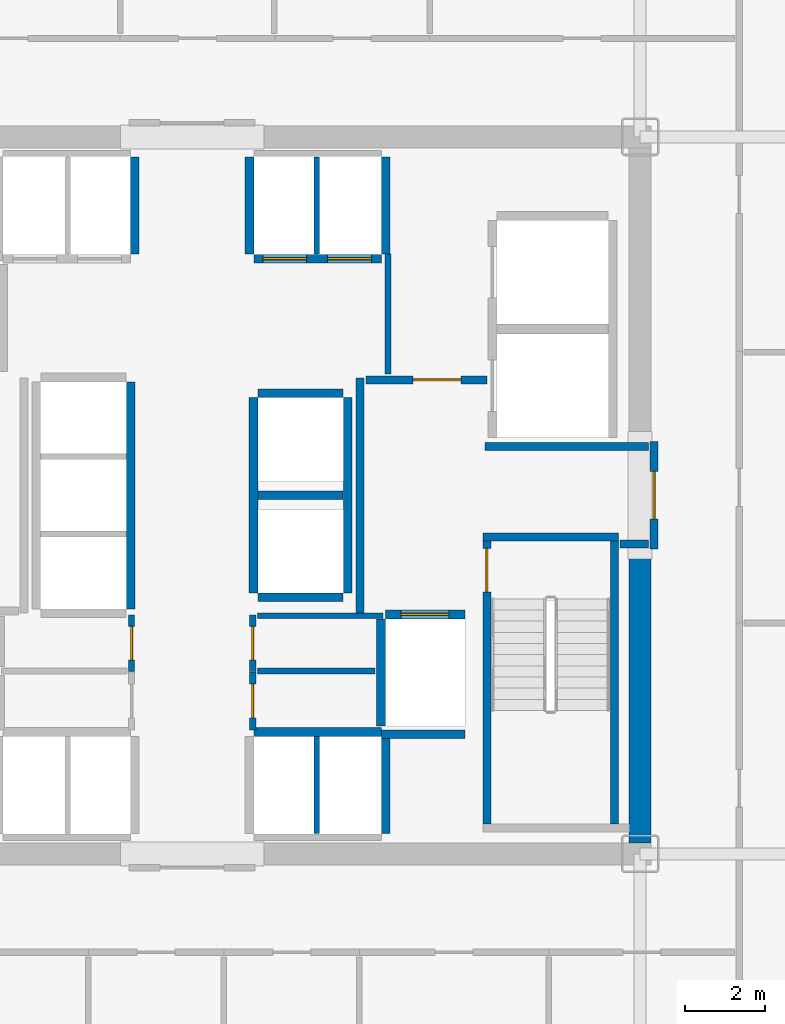
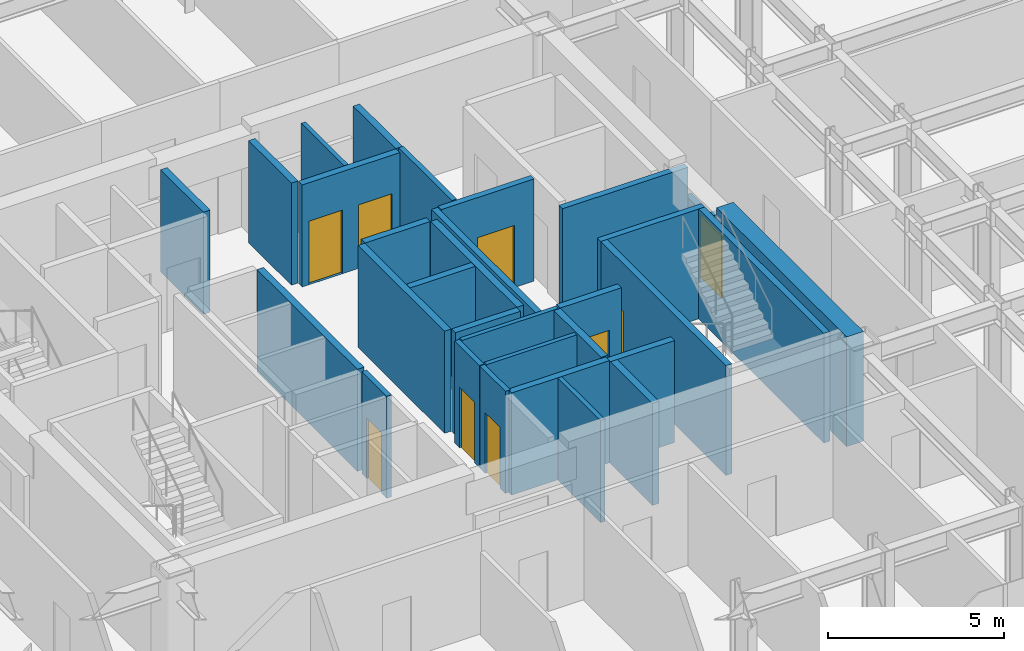
# One storey, part 22 of 25: 32 walls, 9 doors, 9 openings.
"""IFC4 building model written with IfcOpenShell, lengths in metres."""

from ifc_helpers import new_model, si_unit, direction, frame, frame_2d, origin, place, context, subcontext, project, spatial, rectangle, extrude, source, transform, mapped, material, layer, layer_set, type_object, element, fill, save


model = new_model("IFC4")

# Units and contexts
model_context = context("Model", 3, precision=1e-05, world=origin(), true_north=direction((0.0, 1.0)))
body_context = subcontext(model_context, "Body", "Model", "MODEL_VIEW")
ifc_project = project(units=[si_unit("LENGTHUNIT", "METRE"), si_unit("AREAUNIT", "SQUARE_METRE"), si_unit("VOLUMEUNIT", "CUBIC_METRE"), si_unit("PLANEANGLEUNIT", "RADIAN"), si_unit("MASSUNIT", "GRAM", prefix="KILO")], contexts=[model_context])

# Site, building, storey
site_placement = place(None, origin())
site = spatial("IfcSite", under=ifc_project, at=site_placement, CompositionType="ELEMENT")
building_placement = place(site_placement, origin())
building = spatial("IfcBuilding", under=site, at=building_placement, Name="Nefas-Gora Pilgrimage Tower", CompositionType="ELEMENT")
storey_placement = place(building_placement, frame((0.0, 0.0, 109.800048828125)))
storey = spatial("IfcBuildingStorey", under=building, at=storey_placement, Name="L26", CompositionType="ELEMENT", Elevation=109.800048828125)

# Walls
ifc_material_1 = material(Name="Concrete C60/75", Category="concrete")
ifc_layer_1 = layer(ifc_material_1, 0.550048828125)
ifc_layer_set_1 = layer_set([ifc_layer_1], Name="Concrete C60/75")
wall_type_1 = type_object("IfcWallType", Name="SW-CORE-550", PredefinedType="SHEAR", material=ifc_layer_set_1)
shared_shape_1 = source(origin(), body_context, "Body", "SweptSolid", [
    extrude(rectangle(XDim=7.375, YDim=0.550048828125, at=frame_2d((3.6875, 0.0))), origin(), (0.0, 0.0, 1.0), 3.800048828125),
])
wall_1_placement = place(storey_placement, frame((11.25, -8.72509765625, 0.0), z_axis=(0.0, 0.0, 1.0), x_axis=(0.0, 1.0, 0.0)))
element("IfcWall", 1, at=wall_1_placement, inside=storey, type_object=wall_type_1, Name="L26 Core Shear Wall E-South", PredefinedType="SHEAR", context=body_context, shape_type="MappedRepresentation", body=[
    mapped(shared_shape_1, transform((0.0, 0.0, 0.0), x_axis=(1.0, 0.0, 0.0), y_axis=(0.0, 1.0, 0.0), z_axis=(0.0, 0.0, 1.0), scale=1.0)),
])
ifc_material_2 = material(Name="Concrete C45/55", Category="concrete")
ifc_layer_2 = layer(ifc_material_2, 0.199951171875)
ifc_layer_set_2 = layer_set([ifc_layer_2], Name="Concrete C45/55")
wall_type_2 = type_object("IfcWallType", Name="IW-STAIR-200", PredefinedType="SOLIDWALL", material=ifc_layer_set_2)
shared_shape_2 = source(origin(), body_context, "Body", "SweptSolid", [
    extrude(rectangle(XDim=3.39990234375, YDim=0.199951171875, at=frame_2d((1.699951171875, 0.0))), origin(), (0.0, 0.0, 1.0), 3.800048828125),
])
wall_2_placement = place(storey_placement, frame((7.300048828125, -1.050048828125, 0.0), z_axis=(0.0, 0.0, 1.0), x_axis=(1.0, 0.0, 0.0)))
element("IfcWall", 2, at=wall_2_placement, inside=storey, type_object=wall_type_2, Name="L26 Stairwell Shear Wall ST-02-near", PredefinedType="SOLIDWALL", context=body_context, shape_type="MappedRepresentation", body=[
    mapped(shared_shape_2, transform((0.0, 0.0, 0.0), x_axis=(1.0, 0.0, 0.0), y_axis=(0.0, 1.0, 0.0), z_axis=(0.0, 0.0, 1.0), scale=1.0)),
])

# Wall, opening, door
shared_shape_3 = source(origin(), body_context, "Body", "SweptSolid", [
    extrude(rectangle(XDim=7.10009765625, YDim=0.199951171875, at=frame_2d((3.550048828125, 0.0))), origin(), (0.0, 0.0, 1.0), 3.800048828125),
])
wall_3_placement = place(storey_placement, frame((7.39990234375, -1.14990234375, 0.0), z_axis=(0.0, 0.0, 1.0), x_axis=(0.0, -1.0, 0.0)))
wall_3 = element("IfcWall", 3, at=wall_3_placement, inside=storey, type_object=wall_type_2, Name="L26 Stairwell Shear Wall ST-02-left", PredefinedType="SOLIDWALL", context=body_context, shape_type="MappedRepresentation", body=[
    mapped(shared_shape_3, transform((0.0, 0.0, 0.0), x_axis=(1.0, 0.0, 0.0), y_axis=(0.0, 1.0, 0.0), z_axis=(0.0, 0.0, 1.0), scale=1.0)),
])
opening_1_placement = place(wall_3_placement, frame((0.179931640625, 0.0, 0.0)))
opening_1 = element("IfcOpeningElement", 4, at=opening_1_placement, cuts=wall_3, Name="Opening ID-ST1", PredefinedType="OPENING", context=body_context, shape_type="SweptSolid", body=[
    extrude(rectangle(XDim=1.10009765625, YDim=2.14990234375, at=frame_2d((0.550048828125, 1.074951171875))), frame((0.0, 0.10986328125, 0.0), z_axis=(0.0, -1.0, 0.0), x_axis=(1.0, 0.0, 0.0)), (0.0, 0.0, 1.0), 0.219970703125),
])
ifc_material_3 = material(Name="Painted galvanised steel fire stair door", Category="steel")
door_type_1 = type_object("IfcDoorType", Name="DR-INT-STAIR-1100", OperationType="NOTDEFINED", PredefinedType="DOOR", material=ifc_material_3)
shared_shape_4 = source(origin(), body_context, "Body", "SweptSolid", [
    extrude(rectangle(XDim=1.10009765625, YDim=2.14990234375, at=frame_2d((0.550048828125, 1.074951171875))), frame((0.0, 0.02490234375, 0.0), z_axis=(0.0, -1.0, 0.0), x_axis=(1.0, 0.0, 0.0)), (0.0, 0.0, 1.0), 0.050048828125),
])
door_1_placement = place(opening_1_placement, origin())
door_1 = element("IfcDoor", 5, at=door_1_placement, inside=storey, type_object=door_type_1, Name="L26 Protected Exit Stair Door ST-02", OperationType="SINGLE_SWING_LEFT", OverallHeight=2.14990234375, OverallWidth=1.10009765625, PredefinedType="DOOR", context=body_context, shape_type="MappedRepresentation", body=[
    mapped(shared_shape_4, transform((0.0, 0.0, 0.0), x_axis=(1.0, 0.0, 0.0), y_axis=(0.0, 1.0, 0.0), z_axis=(0.0, 0.0, 1.0), scale=1.0)),
])
fill(opening_1, door_1)

# Wall
wall_4_placement = place(storey_placement, frame((10.60009765625, -1.14990234375, 0.0), z_axis=(0.0, 0.0, 1.0), x_axis=(0.0, -1.0, 0.0)))
element("IfcWall", 6, at=wall_4_placement, inside=storey, type_object=wall_type_2, Name="L26 Stairwell Shear Wall ST-02-right", PredefinedType="SOLIDWALL", context=body_context, shape_type="MappedRepresentation", body=[
    mapped(shared_shape_3, transform((0.0, 0.0, 0.0), x_axis=(1.0, 0.0, 0.0), y_axis=(0.0, 1.0, 0.0), z_axis=(0.0, 0.0, 1.0), scale=1.0)),
])

# Wall, opening, door
ifc_material_4 = material(Name="Concrete C40/50", Category="concrete")
ifc_layer_3 = layer(ifc_material_4, 0.219970703125)
ifc_layer_set_3 = layer_set([ifc_layer_3], Name="Concrete C40/50")
wall_type_3 = type_object("IfcWallType", Name="IW-SHAFT-220", PredefinedType="SOLIDWALL", material=ifc_layer_set_3)
shared_shape_5 = source(origin(), body_context, "Body", "SweptSolid", [
    extrude(rectangle(XDim=2.0, YDim=0.219970703125, at=frame_2d((1.0, 0.0))), origin(), (0.0, 0.0, 1.0), 3.534912109375),
])
wall_5_placement = place(storey_placement, frame((6.85009765625, -2.989990234375, 0.0), z_axis=(0.0, 0.0, 1.0), x_axis=(-1.0, 0.0, 0.0)))
wall_5 = element("IfcWall", 7, at=wall_5_placement, inside=storey, type_object=wall_type_3, Name="L26 Hoistway Wall FFL-02-N", PredefinedType="SOLIDWALL", context=body_context, shape_type="MappedRepresentation", body=[
    mapped(shared_shape_5, transform((0.0, 0.0, 0.0), x_axis=(1.0, 0.0, 0.0), y_axis=(0.0, 1.0, 0.0), z_axis=(0.0, 0.0, 1.0), scale=1.0)),
])
opening_2_placement = place(wall_5_placement, frame((0.39990234375, 0.0, 0.0)))
opening_2 = element("IfcOpeningElement", 8, at=opening_2_placement, cuts=wall_5, Name="Opening LD-FF", PredefinedType="OPENING", context=body_context, shape_type="SweptSolid", body=[
    extrude(rectangle(XDim=1.199951171875, YDim=2.199951171875, at=frame_2d((0.60009765625, 1.10009765625))), frame((0.0, 0.119873046875, 0.0), z_axis=(0.0, -1.0, 0.0), x_axis=(1.0, 0.0, 0.0)), (0.0, 0.0, 1.0), 0.239990234375),
])
ifc_material_5 = material(Name="Fire-service sliding lift landing door")
door_type_2 = type_object("IfcDoorType", Name="DR-LIFT-FSAE-1200", OperationType="SLIDING_TO_LEFT", PredefinedType="DOOR", material=ifc_material_5)
shared_shape_6 = source(origin(), body_context, "Body", "SweptSolid", [
    extrude(rectangle(XDim=1.199951171875, YDim=2.199951171875, at=frame_2d((0.60009765625, 1.10009765625))), frame((0.0, 0.02490234375, 0.0), z_axis=(0.0, -1.0, 0.0), x_axis=(1.0, 0.0, 0.0)), (0.0, 0.0, 1.0), 0.050048828125),
])
door_2_placement = place(opening_2_placement, origin())
door_2 = element("IfcDoor", 9, at=door_2_placement, inside=storey, type_object=door_type_2, Name="L26 Sliding Lift Landing Door FFL-02", OperationType="SLIDING_TO_LEFT", OverallHeight=2.199951171875, OverallWidth=1.199951171875, PredefinedType="DOOR", context=body_context, shape_type="MappedRepresentation", body=[
    mapped(shared_shape_6, transform((0.0, 0.0, 0.0), x_axis=(1.0, 0.0, 0.0), y_axis=(0.0, 1.0, 0.0), z_axis=(0.0, 0.0, 1.0), scale=1.0)),
])
fill(opening_2, door_2)

# Wall
shared_shape_7 = source(origin(), body_context, "Body", "SweptSolid", [
    extrude(rectangle(XDim=2.679931640625, YDim=0.219970703125, at=frame_2d((1.33984375, 0.0))), origin(), (0.0, 0.0, 1.0), 3.534912109375),
])
wall_6_placement = place(storey_placement, frame((4.739990234375, -3.110107421875, 0.0), z_axis=(0.0, 0.0, 1.0), x_axis=(0.0, -1.0, 0.0)))
element("IfcWall", 10, at=wall_6_placement, inside=storey, type_object=wall_type_3, Name="L26 Hoistway Wall FFL-02-W", PredefinedType="SOLIDWALL", context=body_context, shape_type="MappedRepresentation", body=[
    mapped(shared_shape_7, transform((0.0, 0.0, 0.0), x_axis=(1.0, 0.0, 0.0), y_axis=(0.0, 1.0, 0.0), z_axis=(0.0, 0.0, 1.0), scale=1.0)),
])

# Wall, openings, doors
shared_shape_8 = source(origin(), body_context, "Body", "SweptSolid", [
    extrude(rectangle(XDim=3.199951171875, YDim=0.219970703125, at=frame_2d((1.60009765625, 0.0))), origin(), (0.0, 0.0, 1.0), 3.534912109375),
])
wall_7_placement = place(storey_placement, frame((1.550048828125, 5.93994140625, 0.0), z_axis=(0.0, 0.0, 1.0), x_axis=(1.0, 0.0, 0.0)))
wall_7 = element("IfcWall", 11, at=wall_7_placement, inside=storey, type_object=wall_type_3, Name="L26 Hoistway Wall PL1-E-S", PredefinedType="SOLIDWALL", context=body_context, shape_type="MappedRepresentation", body=[
    mapped(shared_shape_8, transform((0.0, 0.0, 0.0), x_axis=(1.0, 0.0, 0.0), y_axis=(0.0, 1.0, 0.0), z_axis=(0.0, 0.0, 1.0), scale=1.0)),
])
opening_3_placement = place(wall_7_placement, frame((0.22509765625, 0.0, 0.0)))
opening_3 = element("IfcOpeningElement", 12, at=opening_3_placement, cuts=wall_7, Name="Opening LD-01", PredefinedType="OPENING", context=body_context, shape_type="SweptSolid", body=[
    extrude(rectangle(XDim=1.10009765625, YDim=2.199951171875, at=frame_2d((0.550048828125, 1.10009765625))), frame((0.0, 0.119873046875, 0.0), z_axis=(0.0, -1.0, 0.0), x_axis=(1.0, 0.0, 0.0)), (0.0, 0.0, 1.0), 0.239990234375),
])
opening_4_placement = place(wall_7_placement, frame((1.85009765625, 0.0, 0.0)))
opening_4 = element("IfcOpeningElement", 13, at=opening_4_placement, cuts=wall_7, Name="Opening LD-01", PredefinedType="OPENING", context=body_context, shape_type="SweptSolid", body=[
    extrude(rectangle(XDim=1.10009765625, YDim=2.199951171875, at=frame_2d((0.550048828125, 1.10009765625))), frame((0.0, 0.119873046875, 0.0), z_axis=(0.0, -1.0, 0.0), x_axis=(1.0, 0.0, 0.0)), (0.0, 0.0, 1.0), 0.239990234375),
])
ifc_material_6 = material(Name="Brushed stainless sliding lift landing door")
door_type_3 = type_object("IfcDoorType", Name="DR-LIFT-PASS-1100", OperationType="DOUBLE_DOOR_SLIDING", PredefinedType="DOOR", material=ifc_material_6)
shared_shape_9 = source(origin(), body_context, "Body", "SweptSolid", [
    extrude(rectangle(XDim=1.10009765625, YDim=2.199951171875, at=frame_2d((0.550048828125, 1.10009765625))), frame((0.0, 0.02490234375, 0.0), z_axis=(0.0, -1.0, 0.0), x_axis=(1.0, 0.0, 0.0)), (0.0, 0.0, 1.0), 0.050048828125),
])
door_3_placement = place(opening_3_placement, origin())
door_3 = element("IfcDoor", 14, at=door_3_placement, inside=storey, type_object=door_type_3, Name="L26 Sliding Lift Landing Door PL1-03", OperationType="DOUBLE_DOOR_SLIDING", OverallHeight=2.199951171875, OverallWidth=1.10009765625, PredefinedType="DOOR", context=body_context, shape_type="MappedRepresentation", body=[
    mapped(shared_shape_9, transform((0.0, 0.0, 0.0), x_axis=(1.0, 0.0, 0.0), y_axis=(0.0, 1.0, 0.0), z_axis=(0.0, 0.0, 1.0), scale=1.0)),
])
fill(opening_3, door_3)
door_4_placement = place(opening_4_placement, origin())
door_4 = element("IfcDoor", 15, at=door_4_placement, inside=storey, type_object=door_type_3, Name="L26 Sliding Lift Landing Door PL1-04", OperationType="DOUBLE_DOOR_SLIDING", OverallHeight=2.199951171875, OverallWidth=1.10009765625, PredefinedType="DOOR", context=body_context, shape_type="MappedRepresentation", body=[
    mapped(shared_shape_9, transform((0.0, 0.0, 0.0), x_axis=(1.0, 0.0, 0.0), y_axis=(0.0, 1.0, 0.0), z_axis=(0.0, 0.0, 1.0), scale=1.0)),
])
fill(opening_4, door_4)

# Walls
wall_8_placement = place(storey_placement, frame((4.75, -5.93994140625, 0.0), z_axis=(0.0, 0.0, 1.0), x_axis=(-1.0, 0.0, 0.0)))
element("IfcWall", 16, at=wall_8_placement, inside=storey, type_object=wall_type_3, Name="L26 Hoistway Wall PL2-E-N", PredefinedType="SOLIDWALL", context=body_context, shape_type="MappedRepresentation", body=[
    mapped(shared_shape_8, transform((0.0, 0.0, 0.0), x_axis=(1.0, 0.0, 0.0), y_axis=(0.0, 1.0, 0.0), z_axis=(0.0, 0.0, 1.0), scale=1.0)),
])
shared_shape_10 = source(origin(), body_context, "Body", "SweptSolid", [
    extrude(rectangle(XDim=2.429931640625, YDim=0.219970703125, at=frame_2d((1.21484375, 0.0))), origin(), (0.0, 0.0, 1.0), 3.534912109375),
])
for number, where, z_axis, x_axis, name in (
    (17, (-1.43994140625, 6.06005859375, 0.0), (0.0, 0.0, 1.0), (0.0, 1.0, 0.0), "L26 Hoistway Wall PL1-W-E"),
    (18, (1.43994140625, 8.489990234375, 0.0), (0.0, 0.0, 1.0), (0.0, -1.0, 0.0), "L26 Hoistway Wall PL1-E-W"),
    (19, (4.860107421875, 6.06005859375, 0.0), (0.0, 0.0, 1.0), (0.0, 1.0, 0.0), "L26 Hoistway Wall PL1-E-E"),
    (20, (4.860107421875, -8.489990234375, 0.0), (0.0, 0.0, 1.0), (0.0, 1.0, 0.0), "L26 Hoistway Wall PL2-E-E"),
):
    element("IfcWall", number, at=place(storey_placement, frame(where, z_axis=z_axis, x_axis=x_axis)), inside=storey, type_object=wall_type_3, Name=name, PredefinedType="SOLIDWALL", context=body_context, shape_type="MappedRepresentation", body=[
        mapped(shared_shape_10, transform((0.0, 0.0, 0.0), x_axis=(1.0, 0.0, 0.0), y_axis=(0.0, 1.0, 0.0), z_axis=(0.0, 0.0, 1.0), scale=1.0)),
    ])
ifc_material_7 = material(Name="Gypsum twin-stud partition")
ifc_layer_4 = layer(ifc_material_7, 0.139892578125)
ifc_layer_set_4 = layer_set([ifc_layer_4], Name="Gypsum twin-stud partition")
wall_type_4 = type_object("IfcWallType", Name="IW-UNIT-140", PredefinedType="PARTITIONING", material=ifc_layer_set_4)
shared_shape_11 = source(origin(), body_context, "Body", "SweptSolid", [
    extrude(rectangle(XDim=2.429931640625, YDim=0.139892578125, at=frame_2d((1.21484375, 0.0))), origin(), (0.0, 0.0, 1.0), 3.534912109375),
])
for number, where, z_axis, x_axis, name in (
    (21, (3.125, 6.06005859375, 0.0), (0.0, 0.0, 1.0), (0.0, 1.0, 0.0), "L26 Hoistway Wall PL1-E-DIV"),
    (22, (3.125, -8.489990234375, 0.0), (0.0, 0.0, 1.0), (0.0, 1.0, 0.0), "L26 Hoistway Wall PL2-E-DIV"),
):
    element("IfcWall", number, at=place(storey_placement, frame(where, z_axis=z_axis, x_axis=x_axis)), inside=storey, type_object=wall_type_4, Name=name, PredefinedType="PARTITIONING", context=body_context, shape_type="MappedRepresentation", body=[
        mapped(shared_shape_11, transform((0.0, 0.0, 0.0), x_axis=(1.0, 0.0, 0.0), y_axis=(0.0, 1.0, 0.0), z_axis=(0.0, 0.0, 1.0), scale=1.0)),
    ])
shared_shape_12 = source(origin(), body_context, "Body", "SweptSolid", [
    extrude(rectangle(XDim=5.7001953125, YDim=0.219970703125, at=frame_2d((2.85009765625, 0.0))), origin(), (0.0, 0.0, 1.0), 3.534912109375),
])
wall_9_placement = place(storey_placement, frame((-1.5400390625, -2.85009765625, 0.0), z_axis=(0.0, 0.0, 1.0), x_axis=(0.0, 1.0, 0.0)))
element("IfcWall", 23, at=wall_9_placement, inside=storey, type_object=wall_type_3, Name="L26 Hoistway Wall PL3-01-03-E", PredefinedType="SOLIDWALL", context=body_context, shape_type="MappedRepresentation", body=[
    mapped(shared_shape_12, transform((0.0, 0.0, 0.0), x_axis=(1.0, 0.0, 0.0), y_axis=(0.0, 1.0, 0.0), z_axis=(0.0, 0.0, 1.0), scale=1.0)),
])
shared_shape_13 = source(origin(), body_context, "Body", "SweptSolid", [
    extrude(rectangle(XDim=2.130126953125, YDim=0.219970703125, at=frame_2d((1.06494140625, 0.0))), origin(), (0.0, 0.0, 1.0), 3.534912109375),
])
for number, where, z_axis, x_axis, name in (
    (24, (1.659912109375, -2.56005859375, 0.0), (0.0, 0.0, 1.0), (1.0, 0.0, 0.0), "L26 Hoistway Wall OBS-01-S"),
    (25, (1.659912109375, 0.0, 0.0), (0.0, 0.0, 1.0), (1.0, 0.0, 0.0), "L26 Hoistway Wall OBS-01-02-DIV"),
    (26, (3.7900390625, 2.56005859375, 0.0), (0.0, 0.0, 1.0), (-1.0, 0.0, 0.0), "L26 Hoistway Wall OBS-02-N"),
):
    element("IfcWall", number, at=place(storey_placement, frame(where, z_axis=z_axis, x_axis=x_axis)), inside=storey, type_object=wall_type_3, Name=name, PredefinedType="SOLIDWALL", context=body_context, shape_type="MappedRepresentation", body=[
        mapped(shared_shape_13, transform((0.0, 0.0, 0.0), x_axis=(1.0, 0.0, 0.0), y_axis=(0.0, 1.0, 0.0), z_axis=(0.0, 0.0, 1.0), scale=1.0)),
    ])
shared_shape_14 = source(origin(), body_context, "Body", "SweptSolid", [
    extrude(rectangle(XDim=4.89990234375, YDim=0.219970703125, at=frame_2d((2.449951171875, 0.0))), origin(), (0.0, 0.0, 1.0), 3.534912109375),
])
for number, where, z_axis, x_axis, name in (
    (27, (1.5400390625, 2.449951171875, 0.0), (0.0, 0.0, 1.0), (0.0, -1.0, 0.0), "L26 Hoistway Wall OBS-01-02-W"),
    (28, (3.909912109375, -2.449951171875, 0.0), (0.0, 0.0, 1.0), (0.0, 1.0, 0.0), "L26 Hoistway Wall OBS-01-02-E"),
):
    element("IfcWall", number, at=place(storey_placement, frame(where, z_axis=z_axis, x_axis=x_axis)), inside=storey, type_object=wall_type_3, Name=name, PredefinedType="SOLIDWALL", context=body_context, shape_type="MappedRepresentation", body=[
        mapped(shared_shape_14, transform((0.0, 0.0, 0.0), x_axis=(1.0, 0.0, 0.0), y_axis=(0.0, 1.0, 0.0), z_axis=(0.0, 0.0, 1.0), scale=1.0)),
    ])
shared_shape_15 = source(origin(), body_context, "Body", "SweptSolid", [
    extrude(rectangle(XDim=2.09521484375, YDim=0.219970703125, at=frame_2d((1.047607421875, 0.0))), origin(), (0.0, 0.0, 1.0), 3.534912109375),
])
wall_10_placement = place(storey_placement, frame((4.7548828125, -6.0, 0.0), z_axis=(0.0, 0.0, 1.0), x_axis=(1.0, 0.0, 0.0)))
element("IfcWall", 29, at=wall_10_placement, inside=storey, type_object=wall_type_3, Name="L26 Riser Shaft Wall 2", PredefinedType="SOLIDWALL", context=body_context, shape_type="MappedRepresentation", body=[
    mapped(shared_shape_15, transform((0.0, 0.0, 0.0), x_axis=(1.0, 0.0, 0.0), y_axis=(0.0, 1.0, 0.0), z_axis=(0.0, 0.0, 1.0), scale=1.0)),
])

# Wall, opening, door
ifc_material_8 = material(Name="Gypsum fire-rated shaftwall")
ifc_layer_5 = layer(ifc_material_8, 0.199951171875)
ifc_layer_set_5 = layer_set([ifc_layer_5], Name="Gypsum fire-rated shaftwall")
wall_type_5 = type_object("IfcWallType", Name="IW-FFLOB-200", PredefinedType="PARTITIONING", material=ifc_layer_set_5)
shared_shape_16 = source(origin(), body_context, "Body", "SweptSolid", [
    extrude(rectangle(XDim=2.7001953125, YDim=0.199951171875, at=frame_2d((1.35009765625, 0.0))), origin(), (0.0, 0.0, 1.0), 2.425048828125),
])
wall_11_placement = place(storey_placement, frame((11.60009765625, -1.35009765625, 0.0), z_axis=(0.0, 0.0, 1.0), x_axis=(0.0, 1.0, 0.0)))
wall_11 = element("IfcWall", 30, at=wall_11_placement, inside=storey, type_object=wall_type_5, Name="L26 FF Lobby East Portal Wall 8", PredefinedType="PARTITIONING", context=body_context, shape_type="MappedRepresentation", body=[
    mapped(shared_shape_16, transform((0.0, 0.0, 0.0), x_axis=(1.0, 0.0, 0.0), y_axis=(0.0, 1.0, 0.0), z_axis=(0.0, 0.0, 1.0), scale=1.0)),
])
opening_5_placement = place(wall_11_placement, frame((0.75, 0.0, 0.0)))
opening_5 = element("IfcOpeningElement", 31, at=opening_5_placement, cuts=wall_11, Name="Opening ID-FF1", PredefinedType="OPENING", context=body_context, shape_type="SweptSolid", body=[
    extrude(rectangle(XDim=1.199951171875, YDim=2.14990234375, at=frame_2d((0.60009765625, 1.074951171875))), frame((0.0, 0.10986328125, 0.0), z_axis=(0.0, -1.0, 0.0), x_axis=(1.0, 0.0, 0.0)), (0.0, 0.0, 1.0), 0.219970703125),
])
ifc_material_9 = material(Name="Smoke-sealed steel firefighting lobby door", Category="steel")
door_type_4 = type_object("IfcDoorType", Name="DR-INT-FFLOB-1200", OperationType="NOTDEFINED", PredefinedType="DOOR", material=ifc_material_9)
shared_shape_17 = source(origin(), body_context, "Body", "SweptSolid", [
    extrude(rectangle(XDim=1.199951171875, YDim=2.14990234375, at=frame_2d((0.60009765625, 1.074951171875))), frame((0.0, 0.02490234375, 0.0), z_axis=(0.0, -1.0, 0.0), x_axis=(1.0, 0.0, 0.0)), (0.0, 0.0, 1.0), 0.050048828125),
])
door_5_placement = place(opening_5_placement, origin())
door_5 = element("IfcDoor", 32, at=door_5_placement, inside=storey, type_object=door_type_4, Name="L26 FF Lobby East Portal Door 2", OperationType="SINGLE_SWING_RIGHT", OverallHeight=2.14990234375, OverallWidth=1.199951171875, PredefinedType="DOOR", context=body_context, shape_type="MappedRepresentation", body=[
    mapped(shared_shape_17, transform((0.0, 0.0, 0.0), x_axis=(1.0, 0.0, 0.0), y_axis=(0.0, 1.0, 0.0), z_axis=(0.0, 0.0, 1.0), scale=1.0)),
])
fill(opening_5, door_5)

# Walls
shared_shape_18 = source(origin(), body_context, "Body", "SweptSolid", [
    extrude(rectangle(XDim=5.89990234375, YDim=0.199951171875, at=frame_2d((2.949951171875, 0.0))), origin(), (0.0, 0.0, 1.0), 3.534912109375),
])
wall_12_placement = place(storey_placement, frame((4.219970703125, -2.949951171875, 0.0), z_axis=(0.0, 0.0, 1.0), x_axis=(0.0, 1.0, 0.0)))
element("IfcWall", 33, at=wall_12_placement, inside=storey, type_object=wall_type_5, Name="L26 FF Lobby East Inner Wall Wall 9", PredefinedType="PARTITIONING", context=body_context, shape_type="MappedRepresentation", body=[
    mapped(shared_shape_18, transform((0.0, 0.0, 0.0), x_axis=(1.0, 0.0, 0.0), y_axis=(0.0, 1.0, 0.0), z_axis=(0.0, 0.0, 1.0), scale=1.0)),
])
shared_shape_19 = source(origin(), body_context, "Body", "SweptSolid", [
    extrude(rectangle(XDim=0.719970703125, YDim=0.199951171875, at=frame_2d((0.35986328125, 0.0))), origin(), (0.0, 0.0, 1.0), 3.534912109375),
])
wall_13_placement = place(storey_placement, frame((10.739990234375, -1.219970703125, 0.0), z_axis=(0.0, 0.0, 1.0), x_axis=(1.0, 0.0, 0.0)))
element("IfcWall", 34, at=wall_13_placement, inside=storey, type_object=wall_type_5, Name="L26 FF Lobby East Throat S Wall 12", PredefinedType="PARTITIONING", context=body_context, shape_type="MappedRepresentation", body=[
    mapped(shared_shape_19, transform((0.0, 0.0, 0.0), x_axis=(1.0, 0.0, 0.0), y_axis=(0.0, 1.0, 0.0), z_axis=(0.0, 0.0, 1.0), scale=1.0)),
])

# Wall, opening, door
shared_shape_20 = source(origin(), body_context, "Body", "SweptSolid", [
    extrude(rectangle(XDim=3.039794921875, YDim=0.199951171875, at=frame_2d((1.52001953125, 0.0))), origin(), (0.0, 0.0, 1.0), 3.534912109375),
])
wall_14_placement = place(storey_placement, frame((4.360107421875, 2.89990234375, 0.0), z_axis=(0.0, 0.0, 1.0), x_axis=(1.0, 0.0, 0.0)))
wall_14 = element("IfcWall", 35, at=wall_14_placement, inside=storey, type_object=wall_type_5, Name="L26 FF Lobby East North Wall Wall 10", PredefinedType="PARTITIONING", context=body_context, shape_type="MappedRepresentation", body=[
    mapped(shared_shape_20, transform((0.0, 0.0, 0.0), x_axis=(1.0, 0.0, 0.0), y_axis=(0.0, 1.0, 0.0), z_axis=(0.0, 0.0, 1.0), scale=1.0)),
])
opening_6_placement = place(wall_14_placement, frame((1.18994140625, 0.0, 0.0)))
opening_6 = element("IfcOpeningElement", 36, at=opening_6_placement, cuts=wall_14, Name="Opening ID-PL1", PredefinedType="OPENING", context=body_context, shape_type="SweptSolid", body=[
    extrude(rectangle(XDim=1.199951171875, YDim=2.14990234375, at=frame_2d((0.60009765625, 1.074951171875))), frame((0.0, 0.10986328125, 0.0), z_axis=(0.0, -1.0, 0.0), x_axis=(1.0, 0.0, 0.0)), (0.0, 0.0, 1.0), 0.219970703125),
])
ifc_material_10 = material(Name="Heavy-duty steel plant room fire door", Category="steel")
door_type_5 = type_object("IfcDoorType", Name="DR-INT-PLANT-1200", OperationType="NOTDEFINED", PredefinedType="DOOR", material=ifc_material_10)
door_6_placement = place(opening_6_placement, origin())
door_6 = element("IfcDoor", 37, at=door_6_placement, inside=storey, type_object=door_type_5, Name="L26 Service Lift Lobby Door Door 3", OperationType="SINGLE_SWING_LEFT", OverallHeight=2.14990234375, OverallWidth=1.199951171875, PredefinedType="DOOR", context=body_context, shape_type="MappedRepresentation", body=[
    mapped(shared_shape_17, transform((0.0, 0.0, 0.0), x_axis=(1.0, 0.0, 0.0), y_axis=(0.0, 1.0, 0.0), z_axis=(0.0, 0.0, 1.0), scale=1.0)),
])
fill(opening_6, door_6)

# Walls
shared_shape_21 = source(origin(), body_context, "Body", "SweptSolid", [
    extrude(rectangle(XDim=4.10986328125, YDim=0.199951171875, at=frame_2d((2.054931640625, 0.0))), origin(), (0.0, 0.0, 1.0), 3.534912109375),
])
wall_15_placement = place(storey_placement, frame((7.35009765625, 1.219970703125, 0.0), z_axis=(0.0, 0.0, 1.0), x_axis=(1.0, 0.0, 0.0)))
element("IfcWall", 38, at=wall_15_placement, inside=storey, type_object=wall_type_5, Name="L26 FF Lobby East Throat N Wall 11", PredefinedType="PARTITIONING", context=body_context, shape_type="MappedRepresentation", body=[
    mapped(shared_shape_21, transform((0.0, 0.0, 0.0), x_axis=(1.0, 0.0, 0.0), y_axis=(0.0, 1.0, 0.0), z_axis=(0.0, 0.0, 1.0), scale=1.0)),
])
ifc_material_11 = material(Name="Gypsum acoustic stud partition")
ifc_layer_6 = layer(ifc_material_11, 0.159912109375)
ifc_layer_set_6 = layer_set([ifc_layer_6], Name="Gypsum acoustic stud partition")
wall_type_6 = type_object("IfcWallType", Name="IW-CORR-160", PredefinedType="PARTITIONING", material=ifc_layer_set_6)
shared_shape_22 = source(origin(), body_context, "Body", "SweptSolid", [
    extrude(rectangle(XDim=3.014892578125, YDim=0.159912109375, at=frame_2d((1.50732421875, 0.0))), origin(), (0.0, 0.0, 1.0), 3.534912109375),
])
wall_16_placement = place(storey_placement, frame((4.919921875, 3.0400390625, 0.0), z_axis=(0.0, 0.0, 1.0), x_axis=(0.0, 1.0, 0.0)))
element("IfcWall", 39, at=wall_16_placement, inside=storey, type_object=wall_type_6, Name="L26 Service Lift Lobby West Wall Wall 15", PredefinedType="PARTITIONING", context=body_context, shape_type="MappedRepresentation", body=[
    mapped(shared_shape_22, transform((0.0, 0.0, 0.0), x_axis=(1.0, 0.0, 0.0), y_axis=(0.0, 1.0, 0.0), z_axis=(0.0, 0.0, 1.0), scale=1.0)),
])
shared_shape_23 = source(origin(), body_context, "Body", "SweptSolid", [
    extrude(rectangle(XDim=2.9501953125, YDim=0.139892578125, at=frame_2d((1.47509765625, 0.0))), origin(), (0.0, 0.0, 1.0), 3.534912109375),
])
wall_17_placement = place(storey_placement, frame((1.639892578125, -4.409912109375, 0.0), z_axis=(0.0, 0.0, 1.0), x_axis=(1.0, 0.0, 0.0)))
element("IfcWall", 40, at=wall_17_placement, inside=storey, type_object=wall_type_4, Name="L26 Clean Blanket and Robe Store Partition Wall 23", PredefinedType="PARTITIONING", context=body_context, shape_type="MappedRepresentation", body=[
    mapped(shared_shape_23, transform((0.0, 0.0, 0.0), x_axis=(1.0, 0.0, 0.0), y_axis=(0.0, 1.0, 0.0), z_axis=(0.0, 0.0, 1.0), scale=1.0)),
])

# Wall, opening, door
shared_shape_24 = source(origin(), body_context, "Body", "SweptSolid", [
    extrude(rectangle(XDim=1.409912109375, YDim=0.159912109375, at=frame_2d((0.705078125, 0.0))), origin(), (0.0, 0.0, 1.0), 3.534912109375),
])
wall_18_placement = place(storey_placement, frame((-1.52001953125, -4.419921875, 0.0), z_axis=(0.0, 0.0, 1.0), x_axis=(0.0, 1.0, 0.0)))
wall_18 = element("IfcWall", 41, at=wall_18_placement, inside=storey, type_object=wall_type_6, Name="L26 Housekeeping and Linen Store Wall 16", PredefinedType="PARTITIONING", context=body_context, shape_type="MappedRepresentation", body=[
    mapped(shared_shape_24, transform((0.0, 0.0, 0.0), x_axis=(1.0, 0.0, 0.0), y_axis=(0.0, 1.0, 0.0), z_axis=(0.0, 0.0, 1.0), scale=1.0)),
])
opening_7_placement = place(wall_18_placement, frame((0.280029296875, 0.0, 0.0)))
opening_7 = element("IfcOpeningElement", 42, at=opening_7_placement, cuts=wall_18, Name="Opening ID-BT1", PredefinedType="OPENING", context=body_context, shape_type="SweptSolid", body=[
    extrude(rectangle(XDim=0.85009765625, YDim=2.10009765625, at=frame_2d((0.425048828125, 1.050048828125))), frame((0.0, 0.08984375, 0.0), z_axis=(0.0, -1.0, 0.0), x_axis=(1.0, 0.0, 0.0)), (0.0, 0.0, 1.0), 0.179931640625),
])
ifc_material_12 = material(Name="Moisture-resistant fire-rated timber door", Category="wood")
door_type_6 = type_object("IfcDoorType", Name="DR-INT-BATH-850", OperationType="NOTDEFINED", PredefinedType="DOOR", material=ifc_material_12)
shared_shape_25 = source(origin(), body_context, "Body", "SweptSolid", [
    extrude(rectangle(XDim=0.85009765625, YDim=2.10009765625, at=frame_2d((0.425048828125, 1.050048828125))), frame((0.0, 0.02490234375, 0.0), z_axis=(0.0, -1.0, 0.0), x_axis=(1.0, 0.0, 0.0)), (0.0, 0.0, 1.0), 0.050048828125),
])
door_7_placement = place(opening_7_placement, origin())
door_7 = element("IfcDoor", 43, at=door_7_placement, inside=storey, type_object=door_type_6, Name="L26 Housekeeping and Linen Store Door 6", OperationType="SINGLE_SWING_RIGHT", OverallHeight=2.10009765625, OverallWidth=0.85009765625, PredefinedType="DOOR", context=body_context, shape_type="MappedRepresentation", body=[
    mapped(shared_shape_25, transform((0.0, 0.0, 0.0), x_axis=(1.0, 0.0, 0.0), y_axis=(0.0, 1.0, 0.0), z_axis=(0.0, 0.0, 1.0), scale=1.0)),
])
fill(opening_7, door_7)

wall_19_placement = place(storey_placement, frame((1.52001953125, -4.419921875, 0.0), z_axis=(0.0, 0.0, 1.0), x_axis=(0.0, 1.0, 0.0)))
wall_19 = element("IfcWall", 44, at=wall_19_placement, inside=storey, type_object=wall_type_6, Name="L26 Clean Blanket and Robe Store Wall 21", PredefinedType="PARTITIONING", context=body_context, shape_type="MappedRepresentation", body=[
    mapped(shared_shape_24, transform((0.0, 0.0, 0.0), x_axis=(1.0, 0.0, 0.0), y_axis=(0.0, 1.0, 0.0), z_axis=(0.0, 0.0, 1.0), scale=1.0)),
])
opening_8_placement = place(wall_19_placement, frame((0.280029296875, 0.0, 0.0)))
opening_8 = element("IfcOpeningElement", 45, at=opening_8_placement, cuts=wall_19, Name="Opening ID-BT1", PredefinedType="OPENING", context=body_context, shape_type="SweptSolid", body=[
    extrude(rectangle(XDim=0.85009765625, YDim=2.10009765625, at=frame_2d((0.425048828125, 1.050048828125))), frame((0.0, 0.08984375, 0.0), z_axis=(0.0, -1.0, 0.0), x_axis=(1.0, 0.0, 0.0)), (0.0, 0.0, 1.0), 0.179931640625),
])
door_8_placement = place(opening_8_placement, origin())
door_8 = element("IfcDoor", 46, at=door_8_placement, inside=storey, type_object=door_type_6, Name="L26 Clean Blanket and Robe Store Door 8", OperationType="SINGLE_SWING_RIGHT", OverallHeight=2.10009765625, OverallWidth=0.85009765625, PredefinedType="DOOR", context=body_context, shape_type="MappedRepresentation", body=[
    mapped(shared_shape_25, transform((0.0, 0.0, 0.0), x_axis=(1.0, 0.0, 0.0), y_axis=(0.0, 1.0, 0.0), z_axis=(0.0, 0.0, 1.0), scale=1.0)),
])
fill(opening_8, door_8)

# Wall
shared_shape_26 = source(origin(), body_context, "Body", "SweptSolid", [
    extrude(rectangle(XDim=3.150146484375, YDim=0.139892578125, at=frame_2d((1.5751953125, 0.0))), origin(), (0.0, 0.0, 1.0), 3.534912109375),
])
wall_20_placement = place(storey_placement, frame((1.639892578125, -3.02001953125, 0.0), z_axis=(0.0, 0.0, 1.0), x_axis=(1.0, 0.0, 0.0)))
element("IfcWall", 47, at=wall_20_placement, inside=storey, type_object=wall_type_4, Name="L26 Clean Blanket and Robe Store Partition Wall 22", PredefinedType="PARTITIONING", context=body_context, shape_type="MappedRepresentation", body=[
    mapped(shared_shape_26, transform((0.0, 0.0, 0.0), x_axis=(1.0, 0.0, 0.0), y_axis=(0.0, 1.0, 0.0), z_axis=(0.0, 0.0, 1.0), scale=1.0)),
])

# Wall, opening, door
shared_shape_27 = source(origin(), body_context, "Body", "SweptSolid", [
    extrude(rectangle(XDim=1.449951171875, YDim=0.159912109375, at=frame_2d((0.72509765625, 0.0))), origin(), (0.0, 0.0, 1.0), 3.534912109375),
])
wall_21_placement = place(storey_placement, frame((1.52001953125, -5.889892578125, 0.0), z_axis=(0.0, 0.0, 1.0), x_axis=(0.0, 1.0, 0.0)))
wall_21 = element("IfcWall", 48, at=wall_21_placement, inside=storey, type_object=wall_type_6, Name="L26 Core Amenity Supply Store Wall 24", PredefinedType="PARTITIONING", context=body_context, shape_type="MappedRepresentation", body=[
    mapped(shared_shape_27, transform((0.0, 0.0, 0.0), x_axis=(1.0, 0.0, 0.0), y_axis=(0.0, 1.0, 0.0), z_axis=(0.0, 0.0, 1.0), scale=1.0)),
])
opening_9_placement = place(wall_21_placement, frame((0.300048828125, 0.0, 0.0)))
opening_9 = element("IfcOpeningElement", 49, at=opening_9_placement, cuts=wall_21, Name="Opening ID-BT1", PredefinedType="OPENING", context=body_context, shape_type="SweptSolid", body=[
    extrude(rectangle(XDim=0.85009765625, YDim=2.10009765625, at=frame_2d((0.425048828125, 1.050048828125))), frame((0.0, 0.08984375, 0.0), z_axis=(0.0, -1.0, 0.0), x_axis=(1.0, 0.0, 0.0)), (0.0, 0.0, 1.0), 0.179931640625),
])
door_9_placement = place(opening_9_placement, origin())
door_9 = element("IfcDoor", 50, at=door_9_placement, inside=storey, type_object=door_type_6, Name="L26 Core Amenity Supply Store Door 9", OperationType="SINGLE_SWING_LEFT", OverallHeight=2.10009765625, OverallWidth=0.85009765625, PredefinedType="DOOR", context=body_context, shape_type="MappedRepresentation", body=[
    mapped(shared_shape_25, transform((0.0, 0.0, 0.0), x_axis=(1.0, 0.0, 0.0), y_axis=(0.0, 1.0, 0.0), z_axis=(0.0, 0.0, 1.0), scale=1.0)),
])
fill(opening_9, door_9)

save(model, "model.ifc")
